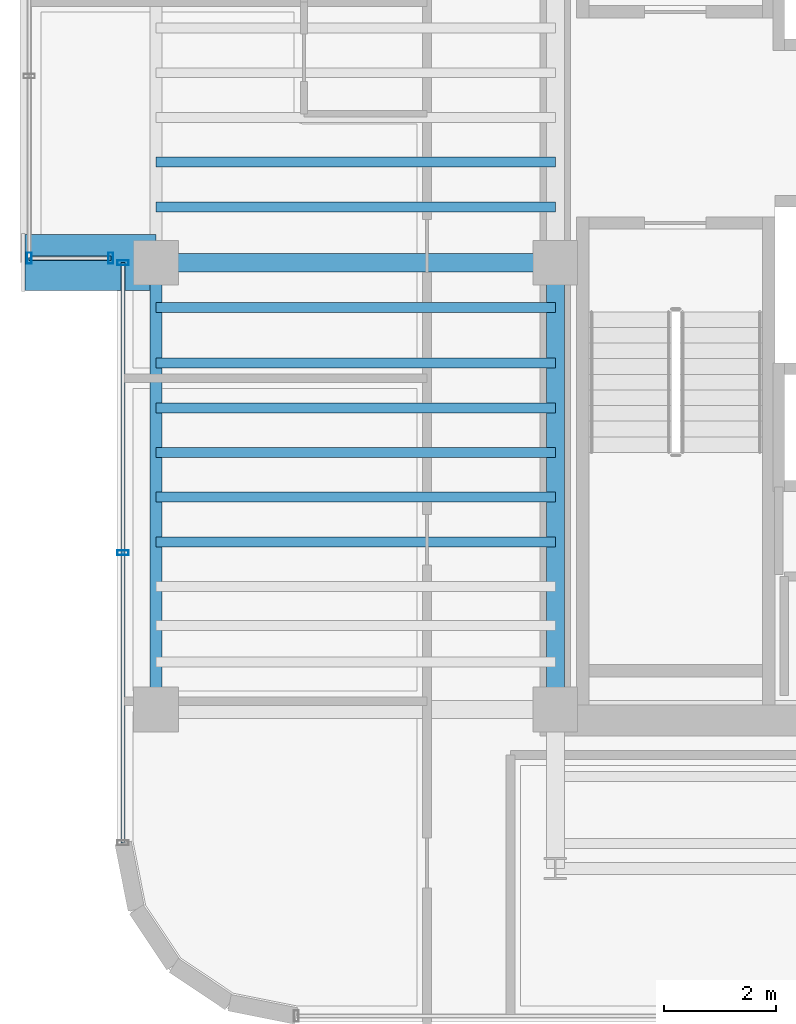
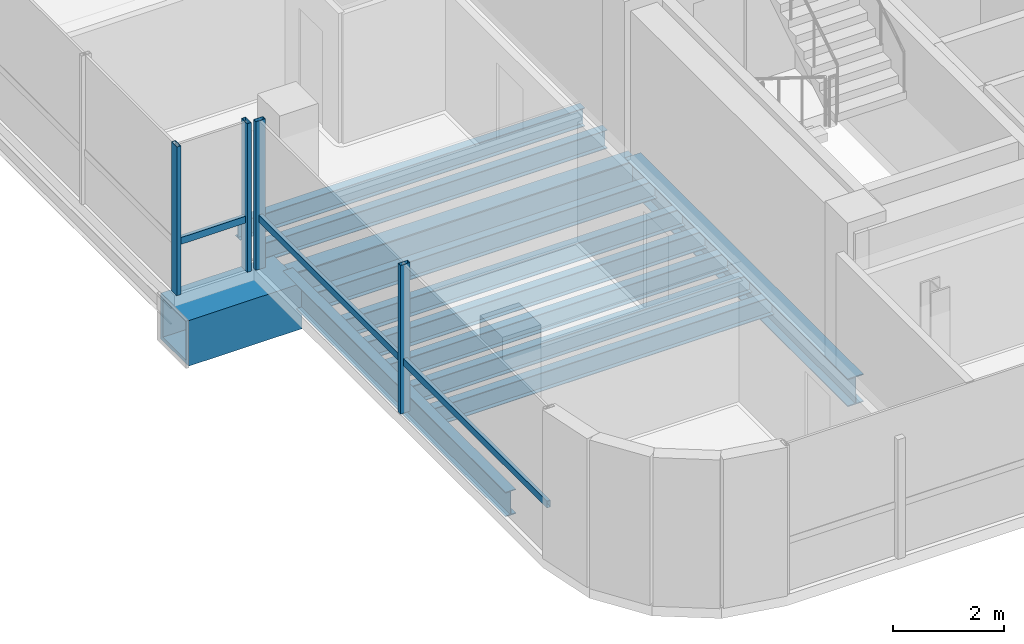
# One storey, part 4 of 20: 12 beams, 6 members, 2 elements without a shape of their own.
"""IFC4 building model written with IfcOpenShell, lengths in metres."""

import ifcopenshell
import ifcopenshell.guid

model = None  # the IFC model being written
_history = None  # IfcOwnerHistory: only IFC2X3 demands one
_inside = {}  # id of a spatial element -> (the spatial element, [elements in it])
_under = {}  # id of a project, library or spatial element -> (it, [spatial elements below it])
_declared = {}  # id of a project -> (the project, [libraries it declares])
_typed = {}  # id of a type object -> (the type object, [elements of that type])
_made_of = {}  # id of a material, layer set ... -> (it, [elements and type objects made of it])


def new_model(schema):
    """Start an empty IFC model of exactly this schema.

    Asked for "IFC4X3", IfcOpenShell would pick the latest addendum, in which some entities
    have other attributes; the version numbers below select the first issue.
    IFC2X3 requires an IfcOwnerHistory on every rooted entity: one is made here for all.
    """
    global model, _history
    if schema == "IFC4X3":
        model = ifcopenshell.file(schema_version=(4, 3, 0, 0))
    else:
        model = ifcopenshell.file(schema=schema)
    _inside.clear()
    _under.clear()
    _declared.clear()
    _typed.clear()
    _made_of.clear()
    _history = None
    if model.schema == "IFC2X3":
        org = make("IfcOrganization", Name="unknown")
        user = make(
            "IfcPersonAndOrganization",
            ThePerson=make("IfcPerson", FamilyName="unknown"),
            TheOrganization=org,
        )
        app = make(
            "IfcApplication",
            ApplicationDeveloper=org,
            Version="unknown",
            ApplicationFullName="unknown",
            ApplicationIdentifier="unknown",
        )
        _history = make(
            "IfcOwnerHistory",
            OwningUser=user,
            OwningApplication=app,
            ChangeAction="ADDED",
            CreationDate=0,
        )
    return model


def make(cls, **values):
    """One entity of the class cls with the attributes given. An attribute that is None is left unset."""
    return model.create_entity(
        cls, **{name: value for name, value in values.items() if value is not None}
    )


def rooted(cls, **values):
    """An entity with a GlobalId (a new one), such as an element, a storey or a relation."""
    return make(cls, GlobalId=ifcopenshell.guid.new(), OwnerHistory=_history, **values)


def si_unit(unit_type, name, prefix=None):
    """IfcSIUnit, for example si_unit("LENGTHUNIT", "METRE", prefix="MILLI")."""
    return make("IfcSIUnit", UnitType=unit_type, Prefix=prefix, Name=name)


def assignment(units):
    """IfcUnitAssignment: the units of a project."""
    return None if units is None else make("IfcUnitAssignment", Units=units)


def point(xyz):
    """IfcCartesianPoint."""
    return None if xyz is None else make("IfcCartesianPoint", Coordinates=xyz)


def direction(xyz):
    """IfcDirection."""
    return None if xyz is None else make("IfcDirection", DirectionRatios=xyz)


def frame(location, z_axis=None, x_axis=None):
    """IfcAxis2Placement3D, a coordinate frame: its origin and axes. An axis left out is left unset."""
    return make(
        "IfcAxis2Placement3D",
        Location=point(location),
        Axis=direction(z_axis),
        RefDirection=direction(x_axis),
    )


def frame_2d(location, x_axis=None):
    """IfcAxis2Placement2D, a coordinate frame in the plane: its origin and x axis."""
    return make(
        "IfcAxis2Placement2D", Location=point(location), RefDirection=direction(x_axis)
    )


def origin():
    """The frame at (0, 0, 0) with its axes left unset."""
    return frame((0.0, 0.0, 0.0))


def origin_2d():
    """The frame at (0, 0) in the plane with its x axis left unset."""
    return frame_2d((0.0, 0.0))


def place(relative_to, where):
    """IfcLocalPlacement: puts the frame where relative to a parent placement (None: the world)."""
    return make(
        "IfcLocalPlacement", PlacementRelTo=relative_to, RelativePlacement=where
    )


def context(
    kind, dimensions, precision=None, world=None, true_north=None, identifier=None
):
    """IfcGeometricRepresentationContext, for example the 3D "Model" context."""
    return make(
        "IfcGeometricRepresentationContext",
        ContextIdentifier=identifier,
        ContextType=kind,
        CoordinateSpaceDimension=dimensions,
        Precision=precision,
        WorldCoordinateSystem=world,
        TrueNorth=true_north,
    )


def subcontext(parent, identifier, kind, view, scale=None):
    """IfcGeometricRepresentationSubContext, for example "Body" below "Model"."""
    return make(
        "IfcGeometricRepresentationSubContext",
        ContextIdentifier=identifier,
        ContextType=kind,
        ParentContext=parent,
        TargetScale=scale,
        TargetView=view,
    )


def project(units=None, contexts=None):
    """IfcProject with its units and contexts."""
    return rooted(
        "IfcProject",
        Name="project",
        RepresentationContexts=contexts,
        UnitsInContext=assignment(units),
    )


def spatial(cls, under=None, at=None, **own):
    """A site, building, storey or space (cls), placed at a placement, below another one or the project."""
    s = rooted(cls, ObjectPlacement=at, **own)
    if under is not None:
        _under.setdefault(under.id(), (under, []))[1].append(s)
    return s


def profile(cls, at=None, kind="AREA", **sizes):
    """A parametric profile (cls). Its sizes go by their IFC names, for example OverallWidth=200.0."""
    return make(cls, ProfileType=kind, Position=at, **sizes)


def hollow_rectangle(**sizes):
    """IfcRectangleHollowProfileDef."""
    return profile("IfcRectangleHollowProfileDef", **sizes)


def i_section(**sizes):
    """IfcIShapeProfileDef."""
    return profile("IfcIShapeProfileDef", **sizes)


def extrude(swept, where, along, depth):
    """IfcExtrudedAreaSolid: the profile swept, set in the frame where, extruded along a direction by depth."""
    return make(
        "IfcExtrudedAreaSolid",
        SweptArea=swept,
        Position=where,
        ExtrudedDirection=direction(along),
        Depth=depth,
    )


def shape(context_of_items, identifier, shape_type, items):
    """IfcShapeRepresentation: the items that make up one representation, for example the "Body"."""
    return make(
        "IfcShapeRepresentation",
        ContextOfItems=context_of_items,
        RepresentationIdentifier=identifier,
        RepresentationType=shape_type,
        Items=items,
    )


def source(mapping_origin, context_of_items, identifier, shape_type, items):
    """IfcRepresentationMap: a shape defined once, which mapped items show again and again."""
    return make(
        "IfcRepresentationMap",
        MappingOrigin=mapping_origin,
        MappedRepresentation=shape(context_of_items, identifier, shape_type, items),
    )


def transform(
    local_origin,
    x_axis=None,
    y_axis=None,
    z_axis=None,
    scale=None,
    scale2=None,
    scale3=None,
    uniform=True,
):
    """IfcCartesianTransformationOperator3D, or its non-uniform kind. x_axis, y_axis, z_axis: its Axis1, 2, 3."""
    if uniform:
        return make(
            "IfcCartesianTransformationOperator3D",
            Axis1=direction(x_axis),
            Axis2=direction(y_axis),
            LocalOrigin=point(local_origin),
            Scale=scale,
            Axis3=direction(z_axis),
        )
    return make(
        "IfcCartesianTransformationOperator3DnonUniform",
        Axis1=direction(x_axis),
        Axis2=direction(y_axis),
        LocalOrigin=point(local_origin),
        Scale=scale,
        Axis3=direction(z_axis),
        Scale2=scale2,
        Scale3=scale3,
    )


def mapped(mapping_source, mapping_target):
    """IfcMappedItem: shows the shape of a source again, moved by a transform."""
    return make(
        "IfcMappedItem", MappingSource=mapping_source, MappingTarget=mapping_target
    )


def material(Name=None, Category=None):
    """IfcMaterial."""
    return make("IfcMaterial", Name=Name, Category=Category)


def material_profile(
    of_material, cross_section, Name=None, Category=None, Priority=None
):
    """IfcMaterialProfile: a cross section and its material."""
    return make(
        "IfcMaterialProfile",
        Name=Name,
        Material=of_material,
        Profile=cross_section,
        Priority=Priority,
        Category=Category,
    )


def profile_set(profiles, Name=None, composite=None):
    """IfcMaterialProfileSet."""
    return make(
        "IfcMaterialProfileSet",
        Name=Name,
        MaterialProfiles=profiles,
        CompositeProfile=composite,
    )


def made_of(thing, what):
    """Note that an element or type object is made of a material, layer set ...; save() writes the relation."""
    if what is not None:
        _made_of.setdefault(what.id(), (what, []))[1].append(thing)
    return thing


def type_object(cls, material=None, **own):
    """A type object (cls), such as IfcWallType, which elements share."""
    return made_of(rooted(cls, **own), material)


def element(
    cls,
    number,
    at=None,
    inside=None,
    cuts=None,
    type_object=None,
    material=None,
    context=None,
    identifier="Body",
    shape_type=None,
    held_by="IfcProductDefinitionShape",
    body=None,
    shapes=None,
    **own,
):
    """One element of the class cls, such as IfcWall. Its Tag is "e" and its number.

    at: its placement. inside: the storey or other place that contains it. cuts: it is an
    opening in that element (IfcRelVoidsElement). A single representation is given by context,
    identifier, shape_type and body (its items); several are given by shapes. held_by: the class
    of the entity that holds the representations. save() writes the other relations.
    """
    e = rooted(cls, Tag="e%d" % number, ObjectPlacement=at, **own)
    if body is not None:
        shapes = [shape(context, identifier, shape_type, body)]
    if shapes is not None:
        e.Representation = make(held_by, Representations=shapes)
    if inside is not None:
        _inside.setdefault(inside.id(), (inside, []))[1].append(e)
    if cuts is not None:
        rooted(
            "IfcRelVoidsElement", RelatingBuildingElement=cuts, RelatedOpeningElement=e
        )
    if type_object is not None:
        _typed.setdefault(type_object.id(), (type_object, []))[1].append(e)
    return made_of(e, material)


def aggregate(whole, parts):
    """IfcRelAggregates: a whole, such as a stair, and the parts it consists of."""
    return rooted("IfcRelAggregates", RelatingObject=whole, RelatedObjects=parts)


def save(model, path):
    """Write the relations noted so far, then the file.

    IfcRelAggregates (storeys below a building ...), IfcRelContainedInSpatialStructure (elements
    in a storey), IfcRelDefinesByType, IfcRelAssociatesMaterial and IfcRelDeclares: one each for
    every whole, place, type object, material and project.
    """
    for whole, parts in _under.values():
        aggregate(whole, parts)
    for where, things in _inside.values():
        rooted(
            "IfcRelContainedInSpatialStructure",
            RelatedElements=things,
            RelatingStructure=where,
        )
    for kind, things in _typed.values():
        rooted("IfcRelDefinesByType", RelatedObjects=things, RelatingType=kind)
    for what, things in _made_of.values():
        rooted("IfcRelAssociatesMaterial", RelatedObjects=things, RelatingMaterial=what)
    for by, libraries in _declared.values():
        rooted("IfcRelDeclares", RelatingContext=by, RelatedDefinitions=libraries)
    model.write(path)


model = new_model("IFC4")

# Units and contexts
model_context = context("Model", 3, precision=1e-05, world=origin(), true_north=direction((0.0, 1.0)))
body_context = subcontext(model_context, "Body", "Model", "MODEL_VIEW")
ifc_project = project(units=[si_unit("LENGTHUNIT", "METRE"), si_unit("AREAUNIT", "SQUARE_METRE"), si_unit("VOLUMEUNIT", "CUBIC_METRE"), si_unit("PLANEANGLEUNIT", "RADIAN"), si_unit("MASSUNIT", "GRAM", prefix="KILO")], contexts=[model_context])

# Site, building, storey
site_placement = place(None, origin())
site = spatial("IfcSite", under=ifc_project, at=site_placement, CompositionType="ELEMENT")
building_placement = place(site_placement, origin())
building = spatial("IfcBuilding", under=site, at=building_placement, Name="Valdorenza Pilgrim Sanctuary Tower", CompositionType="ELEMENT")
storey_placement = place(building_placement, frame((0.0, 0.0, 280.0)))
storey = spatial("IfcBuildingStorey", under=building, at=storey_placement, Name="L73", CompositionType="ELEMENT", Elevation=280.0)

# Beams
ifc_material_1 = material(Name="Steel ASTM A992 Grade 50", Category="steel")
ifc_material_profile_1 = material_profile(ifc_material_1, i_section(OverallWidth=0.323974609375, OverallDepth=0.611083984375, WebThickness=0.0126953125, FlangeThickness=0.01904296875, at=origin_2d()), Name="W24X104")
ifc_profile_set_1 = profile_set([ifc_material_profile_1], Name="Steel ASTM A992 Grade 50")
beam_type_1 = type_object("IfcBeamType", Name="STR-BM-GRD-W24B", PredefinedType="BEAM", material=ifc_profile_set_1)
shared_shape_1 = source(origin(), body_context, "Body", "SweptSolid", [
    extrude(i_section(OverallWidth=0.323974609375, OverallDepth=0.611083984375, WebThickness=0.0126953125, FlangeThickness=0.01904296875, at=origin_2d()), origin(), (0.0, 0.0, 1.0), 8.0),
])
beam_1_placement = place(storey_placement, frame((-22.64990234375, -10.60009765625, -0.54541015625), z_axis=(0.0, 1.0, 0.0), x_axis=(-1.0, 0.0, 0.0)))
element("IfcBeam", 1, at=beam_1_placement, inside=storey, type_object=beam_type_1, Name="L73 Core Tie Girder CA-W-S1M0", PredefinedType="BEAM", context=body_context, shape_type="MappedRepresentation", body=[
    mapped(shared_shape_1, transform((0.0, 0.0, 0.0), x_axis=(1.0, 0.0, 0.0), y_axis=(0.0, 1.0, 0.0), z_axis=(0.0, 0.0, 1.0), scale=1.0)),
])
ifc_material_profile_2 = material_profile(ifc_material_1, i_section(OverallWidth=0.2109375, OverallDepth=0.5390625, WebThickness=0.01171875, FlangeThickness=0.018798828125, at=origin_2d()), Name="W21X73")
ifc_profile_set_2 = profile_set([ifc_material_profile_2], Name="Steel ASTM A992 Grade 50")
beam_type_2 = type_object("IfcBeamType", Name="STR-BM-SPN-W21B", PredefinedType="SPANDREL", material=ifc_profile_set_2)
shared_shape_2 = source(origin(), body_context, "Body", "SweptSolid", [
    extrude(i_section(OverallWidth=0.2109375, OverallDepth=0.5390625, WebThickness=0.01171875, FlangeThickness=0.018798828125, at=origin_2d()), origin(), (0.0, 0.0, 1.0), 8.0),
])
beam_2_placement = place(storey_placement, frame((-29.800048828125, -10.60009765625, -0.509521484375), z_axis=(0.0, 1.0, 0.0), x_axis=(-1.0, 0.0, 0.0)))
element("IfcBeam", 2, at=beam_2_placement, inside=storey, type_object=beam_type_2, Name="L73 Spandrel Beam WA-W-S1M0", PredefinedType="SPANDREL", context=body_context, shape_type="MappedRepresentation", body=[
    mapped(shared_shape_2, transform((0.0, 0.0, 0.0), x_axis=(1.0, 0.0, 0.0), y_axis=(0.0, 1.0, 0.0), z_axis=(0.0, 0.0, 1.0), scale=1.0)),
])
ifc_material_profile_3 = material_profile(ifc_material_1, i_section(OverallWidth=0.177978515625, OverallDepth=0.406005859375, WebThickness=0.0078125, FlangeThickness=0.0126953125, at=origin_2d()), Name="W16X40")
ifc_profile_set_3 = profile_set([ifc_material_profile_3], Name="Steel ASTM A992 Grade 50")
beam_type_3 = type_object("IfcBeamType", Name="STR-BM-JST-W16", PredefinedType="JOIST", material=ifc_profile_set_3)
shared_shape_3 = source(origin(), body_context, "Body", "SweptSolid", [
    extrude(i_section(OverallWidth=0.177978515625, OverallDepth=0.406005859375, WebThickness=0.0078125, FlangeThickness=0.0126953125, at=origin_2d()), origin(), (0.0, 0.0, 1.0), 7.150146484375),
])
for number, where, z_axis, x_axis, name in (
    (3, (-29.800048828125, -7.60009765625, -0.443115234375), (1.0, 0.0, 0.0), (0.0, 1.0, 0.0), "L73 Composite Floor Joist JST-WA-4"),
    (4, (-29.800048828125, -6.800048828125, -0.443115234375), (1.0, 0.0, 0.0), (0.0, 1.0, 0.0), "L73 Composite Floor Joist JST-WA-5"),
    (5, (-29.800048828125, -6.0, -0.443115234375), (1.0, 0.0, 0.0), (0.0, 1.0, 0.0), "L73 Composite Floor Joist JST-WA-6"),
    (6, (-29.800048828125, -5.199951171875, -0.443115234375), (1.0, 0.0, 0.0), (0.0, 1.0, 0.0), "L73 Composite Floor Joist JST-WA-7"),
    (7, (-29.800048828125, -4.39990234375, -0.443115234375), (1.0, 0.0, 0.0), (0.0, 1.0, 0.0), "L73 Composite Floor Joist JST-WA-8"),
    (8, (-29.800048828125, -3.39990234375, -0.443115234375), (1.0, 0.0, 0.0), (0.0, 1.0, 0.0), "L73 Composite Floor Joist JST-WA-9"),
    (9, (-29.800048828125, -1.60009765625, -0.443115234375), (1.0, 0.0, 0.0), (0.0, 1.0, 0.0), "L73 Composite Floor Joist JST-WA-10"),
    (10, (-29.800048828125, -0.800048828125, -0.443115234375), (1.0, 0.0, 0.0), (0.0, 1.0, 0.0), "L73 Composite Floor Joist JST-WA-11"),
):
    element("IfcBeam", number, at=place(storey_placement, frame(where, z_axis=z_axis, x_axis=x_axis)), inside=storey, type_object=beam_type_3, Name=name, PredefinedType="JOIST", context=body_context, shape_type="MappedRepresentation", body=[
        mapped(shared_shape_3, transform((0.0, 0.0, 0.0), x_axis=(1.0, 0.0, 0.0), y_axis=(0.0, 1.0, 0.0), z_axis=(0.0, 0.0, 1.0), scale=1.0)),
    ])
ifc_material_2 = material(Name="Steel ASTM A572 Grade 42", Category="steel")
ifc_material_profile_4 = material_profile(ifc_material_2, hollow_rectangle(XDim=1.0, YDim=1.0, WallThickness=0.080078125, at=origin_2d()), Name="BOX 1000x1000x80")
ifc_profile_set_4 = profile_set([ifc_material_profile_4], Name="Steel ASTM A572 Grade 42")
beam_type_4 = type_object("IfcBeamType", Name="STR-BM-PROW-CANT", PredefinedType="BEAM", material=ifc_profile_set_4)
shared_shape_4 = source(origin(), body_context, "Body", "SweptSolid", [
    extrude(hollow_rectangle(XDim=1.0, YDim=1.0, WallThickness=0.080078125, at=origin_2d()), origin(), (0.0, 0.0, 1.0), 2.349853515625),
])
beam_3_placement = place(storey_placement, frame((-29.800048828125, -2.60009765625, -0.739990234375), z_axis=(-1.0, 0.0, 0.0), x_axis=(0.0, -1.0, 0.0)))
element("IfcBeam", 11, at=beam_3_placement, inside=storey, type_object=beam_type_4, Name="L73 Glass Box Cantilever Beam BOX-WA-L73-CT-S", PredefinedType="BEAM", context=body_context, shape_type="MappedRepresentation", body=[
    mapped(shared_shape_4, transform((0.0, 0.0, 0.0), x_axis=(1.0, 0.0, 0.0), y_axis=(0.0, 1.0, 0.0), z_axis=(0.0, 0.0, 1.0), scale=1.0)),
])
ifc_material_profile_5 = material_profile(ifc_material_1, i_section(OverallWidth=0.326904296875, OverallDepth=0.6220703125, WebThickness=0.015380859375, FlangeThickness=0.0244140625, at=origin_2d()), Name="W24X131")
ifc_profile_set_5 = profile_set([ifc_material_profile_5], Name="Steel ASTM A992 Grade 50")
beam_type_5 = type_object("IfcBeamType", Name="STR-BM-GRD-W24A", PredefinedType="BEAM", material=ifc_profile_set_5)
shared_shape_5 = source(origin(), body_context, "Body", "SweptSolid", [
    extrude(i_section(OverallWidth=0.326904296875, OverallDepth=0.6220703125, WebThickness=0.015380859375, FlangeThickness=0.0244140625, at=origin_2d()), origin(), (0.0, 0.0, 1.0), 7.150146484375),
])
beam_4_placement = place(storey_placement, frame((-29.800048828125, -2.60009765625, -0.551025390625), z_axis=(1.0, 0.0, 0.0), x_axis=(0.0, 1.0, 0.0)))
element("IfcBeam", 12, at=beam_4_placement, inside=storey, type_object=beam_type_5, Name="L73 Floor Girder WA-XW-M0", PredefinedType="BEAM", context=body_context, shape_type="MappedRepresentation", body=[
    mapped(shared_shape_5, transform((0.0, 0.0, 0.0), x_axis=(1.0, 0.0, 0.0), y_axis=(0.0, 1.0, 0.0), z_axis=(0.0, 0.0, 1.0), scale=1.0)),
])

# Curtain wall, member
ifc_material_3 = material(Name="Curtain-wall IGU glazing", Category="glass")
curtain_wall_type = type_object("IfcCurtainWallType", Name="CW-SYS-02", PredefinedType="NOTDEFINED", material=ifc_material_3)
curtain_wall_1_placement = place(storey_placement, origin())
curtain_wall_1 = element("IfcCurtainWall", 13, at=curtain_wall_1_placement, inside=storey, type_object=curtain_wall_type, Name="L73 Curtain Wall CW-L73-BOX-WA-L73-S", PredefinedType="NOTDEFINED")
ifc_material_4 = material(Name="Anodised aluminium AW-6060", Category="aluminium")
ifc_material_profile_6 = material_profile(ifc_material_4, hollow_rectangle(XDim=0.074951171875, YDim=0.14990234375, WallThickness=0.00390625, at=origin_2d()), Name="ALU-T 150x75x4")
ifc_profile_set_6 = profile_set([ifc_material_profile_6], Name="Anodised aluminium AW-6060")
member_type_1 = type_object("IfcMemberType", Name="CW-TRN-02", PredefinedType="USERDEFINED", material=ifc_profile_set_6)
shared_shape_6 = source(origin(), body_context, "Body", "SweptSolid", [
    extrude(hollow_rectangle(XDim=0.074951171875, YDim=0.14990234375, WallThickness=0.00390625, at=origin_2d()), origin(), (0.0, 0.0, 1.0), 1.4599609375),
])
member_1_placement = place(storey_placement, frame((-30.610107421875, -2.52001953125, 1.1201171875), z_axis=(-1.0, 0.0, 0.0), x_axis=(0.0, -1.0, 0.0)))
member_1 = element("IfcMember", 14, at=member_1_placement, type_object=member_type_1, Name="CW-L73-BOX-WA-L73-S Transom 1", ObjectType="TRANSOM", PredefinedType="USERDEFINED", context=body_context, shape_type="MappedRepresentation", body=[
    mapped(shared_shape_6, transform((0.0, 0.0, 0.0), x_axis=(1.0, 0.0, 0.0), y_axis=(0.0, 1.0, 0.0), z_axis=(0.0, 0.0, 1.0), scale=1.0)),
])

# Curtain wall, members
curtain_wall_2_placement = place(storey_placement, origin())
curtain_wall_2 = element("IfcCurtainWall", 15, at=curtain_wall_2_placement, inside=storey, type_object=curtain_wall_type, Name="L73 Curtain Wall CW-L73-1-1S1", PredefinedType="NOTDEFINED")
ifc_material_profile_7 = material_profile(ifc_material_4, hollow_rectangle(XDim=0.0849609375, YDim=0.199951171875, WallThickness=0.0048828125, at=origin_2d()), Name="ALU-M 200x85x5")
ifc_profile_set_7 = profile_set([ifc_material_profile_7], Name="Anodised aluminium AW-6060")
member_type_2 = type_object("IfcMemberType", Name="CW-MUL-02", PredefinedType="MULLION", material=ifc_profile_set_7)
shared_shape_7 = source(origin(), body_context, "Body", "SweptSolid", [
    extrude(hollow_rectangle(XDim=0.0849609375, YDim=0.199951171875, WallThickness=0.0048828125, at=origin_2d()), origin(), (0.0, 0.0, 1.0), 3.260009765625),
])
member_2_placement = place(storey_placement, frame((-30.389892578125, -7.794677734375, 0.0), z_axis=(0.0, 0.0, 1.0), x_axis=(0.0, 1.0, 0.0)))
member_2 = element("IfcMember", 16, at=member_2_placement, type_object=member_type_2, Name="CW-L73-1-1S1 Mullion 2", PredefinedType="MULLION", context=body_context, shape_type="MappedRepresentation", body=[
    mapped(shared_shape_7, transform((0.0, 0.0, 0.0), x_axis=(1.0, 0.0, 0.0), y_axis=(0.0, 1.0, 0.0), z_axis=(0.0, 0.0, 1.0), scale=1.0)),
])
member_3_placement = place(storey_placement, frame((-30.389892578125, -2.60009765625, 0.0), z_axis=(0.0, 0.0, 1.0), x_axis=(0.0, 1.0, 0.0)))
member_3 = element("IfcMember", 17, at=member_3_placement, type_object=member_type_2, Name="CW-L73-1-1S1 Mullion 3", PredefinedType="MULLION", context=body_context, shape_type="MappedRepresentation", body=[
    mapped(shared_shape_7, transform((0.0, 0.0, 0.0), x_axis=(1.0, 0.0, 0.0), y_axis=(0.0, 1.0, 0.0), z_axis=(0.0, 0.0, 1.0), scale=1.0)),
])

# Member
member_4_placement = place(storey_placement, frame((-30.610107421875, -2.52001953125, 0.0), z_axis=(0.0, 0.0, 1.0), x_axis=(-1.0, 0.0, 0.0)))
member_4 = element("IfcMember", 18, at=member_4_placement, type_object=member_type_2, Name="CW-L73-BOX-WA-L73-S Mullion 1", PredefinedType="MULLION", context=body_context, shape_type="MappedRepresentation", body=[
    mapped(shared_shape_7, transform((0.0, 0.0, 0.0), x_axis=(1.0, 0.0, 0.0), y_axis=(0.0, 1.0, 0.0), z_axis=(0.0, 0.0, 1.0), scale=1.0)),
])

member_5_placement = place(storey_placement, frame((-32.070068359375, -2.52001953125, 0.0), z_axis=(0.0, 0.0, 1.0), x_axis=(-1.0, 0.0, 0.0)))
member_5 = element("IfcMember", 19, at=member_5_placement, type_object=member_type_2, Name="CW-L73-BOX-WA-L73-S Mullion 2", PredefinedType="MULLION", context=body_context, shape_type="MappedRepresentation", body=[
    mapped(shared_shape_7, transform((0.0, 0.0, 0.0), x_axis=(1.0, 0.0, 0.0), y_axis=(0.0, 1.0, 0.0), z_axis=(0.0, 0.0, 1.0), scale=1.0)),
])

aggregate(curtain_wall_1, [member_4, member_5, member_1])

shared_shape_8 = source(origin(), body_context, "Body", "SweptSolid", [
    extrude(hollow_rectangle(XDim=0.074951171875, YDim=0.14990234375, WallThickness=0.00390625, at=origin_2d()), origin(), (0.0, 0.0, 1.0), 10.38916015625),
])
member_6_placement = place(storey_placement, frame((-30.389892578125, -12.9892578125, 1.1201171875), z_axis=(0.0, 1.0, 0.0), x_axis=(-1.0, 0.0, 0.0)))
member_6 = element("IfcMember", 20, at=member_6_placement, type_object=member_type_1, Name="CW-L73-1-1S1 Transom 1", ObjectType="TRANSOM", PredefinedType="USERDEFINED", context=body_context, shape_type="MappedRepresentation", body=[
    mapped(shared_shape_8, transform((0.0, 0.0, 0.0), x_axis=(1.0, 0.0, 0.0), y_axis=(0.0, 1.0, 0.0), z_axis=(0.0, 0.0, 1.0), scale=1.0)),
])

aggregate(curtain_wall_2, [member_2, member_3, member_6])

save(model, "model.ifc")
